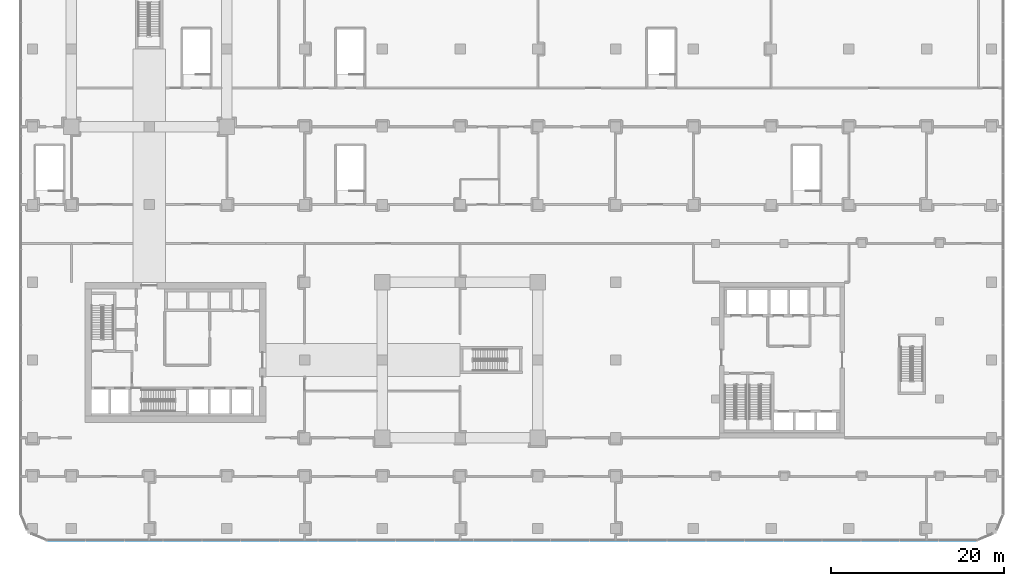
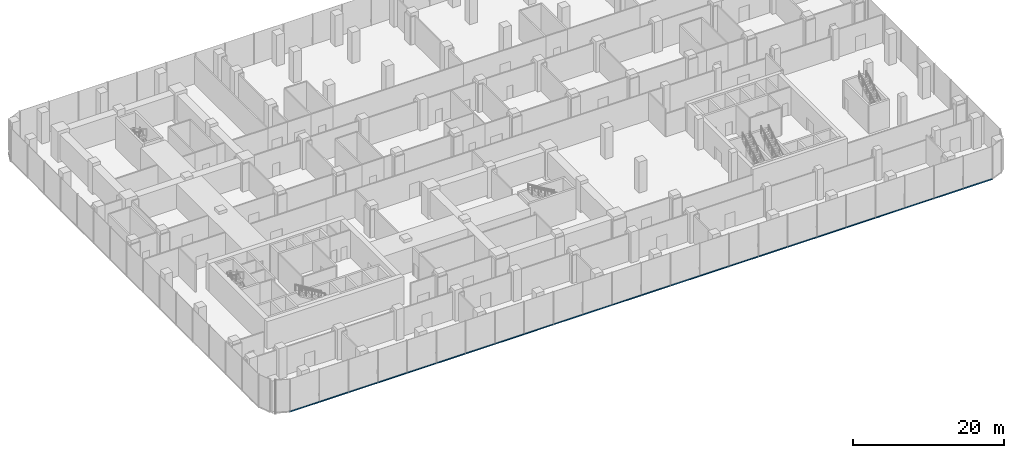
# One storey, part 5 of 36: 1 member, 1 element without a shape of its own.
"""IFC4 building model written with IfcOpenShell, lengths in metres."""

from ifc_helpers import new_model, si_unit, direction, frame, origin, origin_2d, place, context, subcontext, project, spatial, rectangle, extrude, material, layer, layer_set, material_profile, profile_set, type_object, element, aggregate, save


model = new_model("IFC4")

# Units and contexts
model_context = context("Model", 3, precision=1e-05, world=origin(), true_north=direction((0.0, 1.0)))
body_context = subcontext(model_context, "Body", "Model", "MODEL_VIEW")
ifc_project = project(units=[si_unit("LENGTHUNIT", "METRE"), si_unit("AREAUNIT", "SQUARE_METRE"), si_unit("VOLUMEUNIT", "CUBIC_METRE"), si_unit("PLANEANGLEUNIT", "RADIAN"), si_unit("MASSUNIT", "GRAM", prefix="KILO")], contexts=[model_context])

# Site, building, storey
site_placement = place(None, origin())
site = spatial("IfcSite", under=ifc_project, at=site_placement, CompositionType="ELEMENT")
building_placement = place(site_placement, origin())
building = spatial("IfcBuilding", under=site, at=building_placement, Name="Plateau Cross Towers", CompositionType="ELEMENT")
storey_placement = place(building_placement, frame((0.0, 0.0, 21.800048828125)))
storey = spatial("IfcBuildingStorey", under=building, at=storey_placement, Name="L04", CompositionType="ELEMENT", Elevation=21.800048828125)

# Curtain wall, member
ifc_material_1 = material(Name="Dark low-iron laminated glass", Category="glass")
ifc_layer = layer(ifc_material_1, 0.300048828125)
ifc_layer_set = layer_set([ifc_layer], Name="Dark low-iron laminated glass")
curtain_wall_type = type_object("IfcCurtainWallType", Name="Curtain wall structural silicone CW-C", PredefinedType="NOTDEFINED", material=ifc_layer_set)
curtain_wall_placement = place(storey_placement, origin())
curtain_wall = element("IfcCurtainWall", 1, at=curtain_wall_placement, inside=storey, type_object=curtain_wall_type, Name="ENV/P/L04/P-28_-118", PredefinedType="NOTDEFINED")
ifc_material_2 = material(Name="Black anodised aluminium", Category="aluminium")
ifc_material_profile = material_profile(ifc_material_2, rectangle(XDim=0.10009765625, YDim=0.14990234375, at=origin_2d()), Name="TRANSOM 100x150")
ifc_profile_set = profile_set([ifc_material_profile], Name="Black anodised aluminium")
member_type = type_object("IfcMemberType", Name="Transom 100x150 structural silicone", PredefinedType="USERDEFINED", material=ifc_profile_set)
member_placement = place(storey_placement, frame((-2.85009765625, -11.85009765625, -0.275146484375), z_axis=(1.0, 0.0, 0.0), x_axis=(0.0, 1.0, 0.0)))
member = element("IfcMember", 2, at=member_placement, type_object=member_type, Name="CW-C transom", ObjectType="TRANSOM", PredefinedType="USERDEFINED", context=body_context, shape_type="SweptSolid", body=[
    extrude(rectangle(XDim=0.10009765625, YDim=0.14990234375, at=origin_2d()), origin(), (0.0, 0.0, 1.0), 107.7001953125),
])
aggregate(curtain_wall, [member])

save(model, "model.ifc")
